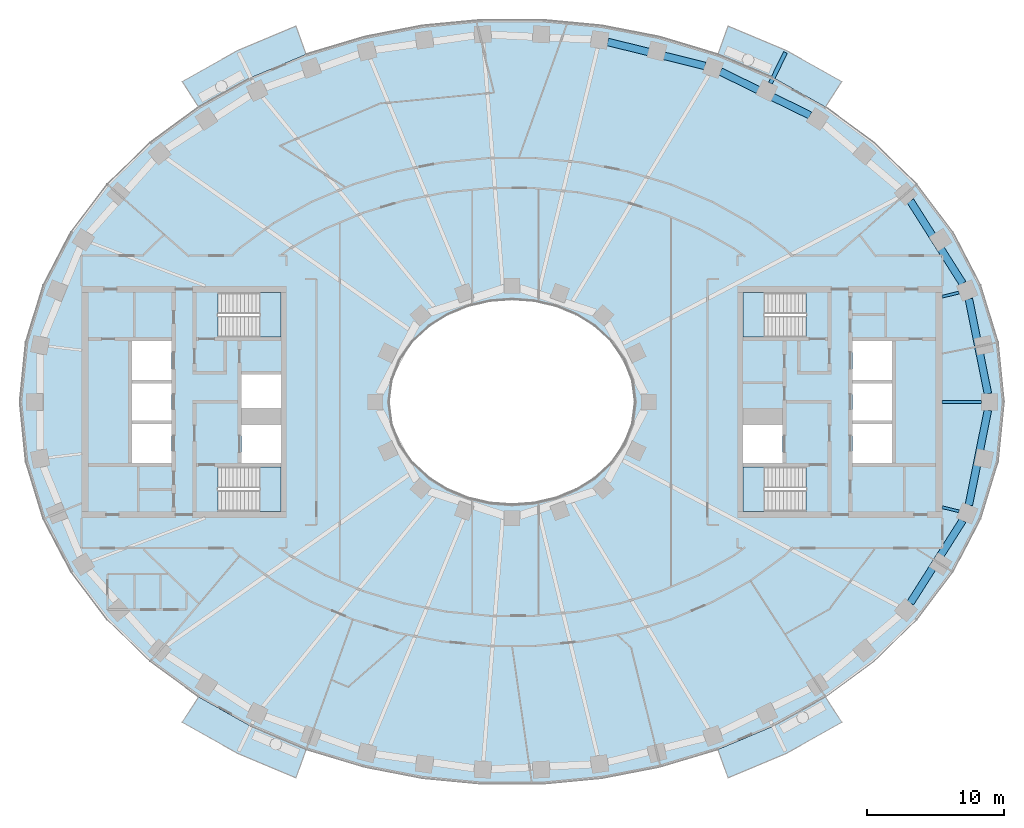
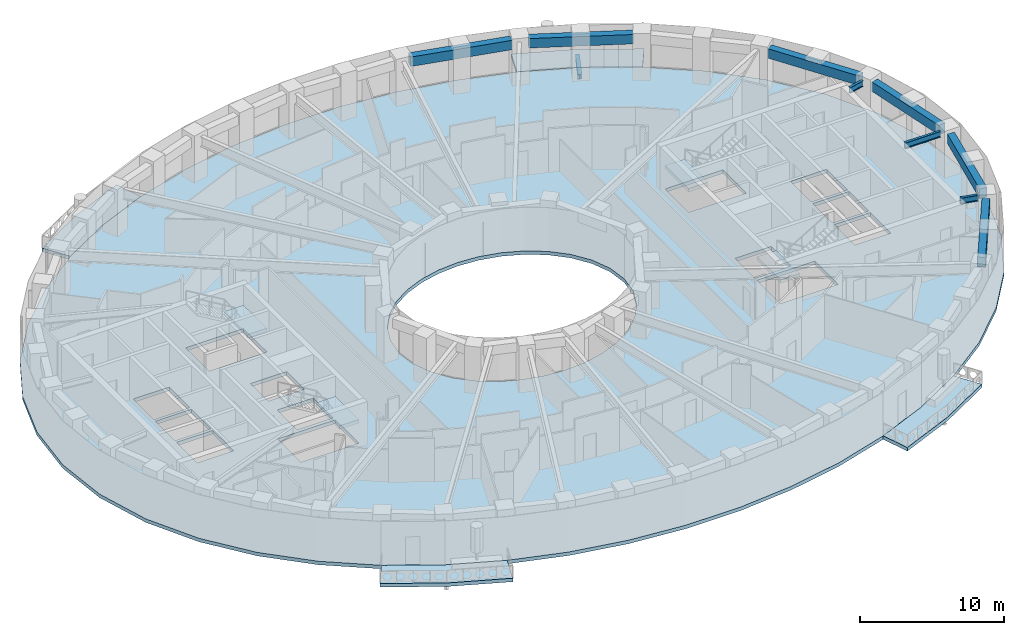
# One storey, part 2 of 16: 10 beams, 9 slabs, 4 elements without a shape of their own.
"""IFC4 building model written with IfcOpenShell, lengths in metres."""

from ifc_helpers import new_model, si_unit, direction, frame, origin, origin_2d, place, context, subcontext, project, spatial, polyline, rectangle, i_section, outline, extrude, material, layer, layer_set, material_profile, profile_set, type_object, element, aggregate, save


model = new_model("IFC4")

# Units and contexts
model_context = context("Model", 3, precision=1e-05, world=origin(), true_north=direction((0.0, 1.0)))
body_context = subcontext(model_context, "Body", "Model", "MODEL_VIEW")
ifc_project = project(units=[si_unit("LENGTHUNIT", "METRE"), si_unit("AREAUNIT", "SQUARE_METRE"), si_unit("VOLUMEUNIT", "CUBIC_METRE"), si_unit("PLANEANGLEUNIT", "RADIAN"), si_unit("MASSUNIT", "GRAM", prefix="KILO")], contexts=[model_context])

# Site, building, storey
site_placement = place(None, origin())
site = spatial("IfcSite", under=ifc_project, at=site_placement, CompositionType="ELEMENT")
building_placement = place(site_placement, origin())
building = spatial("IfcBuilding", under=site, at=building_placement, Name="Noorbagh Ring Tower", CompositionType="ELEMENT")
storey_placement = place(building_placement, frame((0.0, 0.0, 116.0)))
storey = spatial("IfcBuildingStorey", under=building, at=storey_placement, Name="L26", CompositionType="ELEMENT", Elevation=116.0)

# Beams
ifc_material_1 = material(Name="Steel S355", Category="steel")
ifc_material_profile_1 = material_profile(ifc_material_1, i_section(OverallWidth=0.300048828125, OverallDepth=0.39990234375, WebThickness=0.013427734375, FlangeThickness=0.02392578125, FilletRadius=0.027099609375, at=origin_2d()), Name="HEB400")
ifc_profile_set_1 = profile_set([ifc_material_profile_1], Name="Steel S355")
beam_type_1 = type_object("IfcBeamType", Name="STR-BALCONY-BRACKET-HEB400", PredefinedType="BEAM", material=ifc_profile_set_1)
beam_1_placement = place(storey_placement, frame((18.912109375, 23.328857421875, -0.5), z_axis=(0.439227645789, 0.898375798413, 0.0), x_axis=(-0.898375798413, 0.439227645789, 0.0)))
element("IfcBeam", 1, at=beam_1_placement, inside=storey, type_object=beam_type_1, Name="Balcony bracket beam BN02", PredefinedType="BEAM", context=body_context, shape_type="SweptSolid", body=[
    extrude(i_section(OverallWidth=0.300048828125, OverallDepth=0.39990234375, WebThickness=0.013427734375, FlangeThickness=0.02392578125, FilletRadius=0.027099609375, at=origin_2d()), origin(), (0.0, 0.0, 1.0), 2.500244140625),
])
ifc_material_2 = material(Name="Steel S355", Category="steel")
ifc_material_profile_2 = material_profile(ifc_material_2, i_section(OverallWidth=0.199951171875, OverallDepth=0.5, WebThickness=0.01025390625, FlangeThickness=0.01611328125, FilletRadius=0.02099609375, at=origin_2d()), Name="IPE500")
ifc_profile_set_2 = profile_set([ifc_material_profile_2], Name="Steel S355")
beam_type_2 = type_object("IfcBeamType", Name="STR-RAD-IPE500", PredefinedType="BEAM", material=ifc_profile_set_2)
beam_2_placement = place(storey_placement, frame((34.339599609375, 0.0, 3.449951171875), z_axis=(-1.0, 0.0, 0.0), x_axis=(0.0, -1.0, 0.0)))
element("IfcBeam", 2, at=beam_2_placement, inside=storey, type_object=beam_type_2, Name="L26/bm/RD01", PredefinedType="BEAM", context=body_context, shape_type="SweptSolid", body=[
    extrude(i_section(OverallWidth=0.199951171875, OverallDepth=0.5, WebThickness=0.01025390625, FlangeThickness=0.01611328125, FilletRadius=0.02099609375, at=origin_2d()), origin(), (0.0, 0.0, 1.0), 2.859619140625),
])
for number, where, z_axis, x_axis, name in (
    (3, (32.710693359375, 8.00390625, 3.449951171875), (-0.971343647719, -0.237679443865, 0.0), (0.237679443865, -0.971343647719, 0.0), "L26/bm/RD03"),
    (4, (32.710693359375, -8.00390625, 3.449951171875), (-0.971343647719, 0.237679443865, 0.0), (-0.237679443865, -0.971343647719, 0.0), "L26/bm/RD45"),
):
    element("IfcBeam", number, at=place(storey_placement, frame(where, z_axis=z_axis, x_axis=x_axis)), inside=storey, type_object=beam_type_2, Name=name, PredefinedType="BEAM", context=body_context, shape_type="SweptSolid", body=[
        extrude(i_section(OverallWidth=0.199951171875, OverallDepth=0.5, WebThickness=0.01025390625, FlangeThickness=0.01611328125, FilletRadius=0.02099609375, at=origin_2d()), origin(), (0.0, 0.0, 1.0), 1.2666015625),
    ])
ifc_material_3 = material(Name="Concrete C40/50", Category="concrete")
ifc_material_profile_3 = material_profile(ifc_material_3, rectangle(XDim=0.550048828125, YDim=0.800048828125, at=origin_2d()), Name="RC550x800")
ifc_profile_set_3 = profile_set([ifc_material_profile_3], Name="Concrete C40/50")
beam_type_3 = type_object("IfcBeamType", Name="STR-SB-RC550x800-C40-50", PredefinedType="BEAM", material=ifc_profile_set_3)
beam_3_placement = place(storey_placement, frame((34.822998046875, 0.60546875, 3.300048828125), z_axis=(-0.197250205232, 0.98035317949, 0.0), x_axis=(-0.98035317949, -0.197250205232, 0.0)))
element("IfcBeam", 5, at=beam_3_placement, inside=storey, type_object=beam_type_3, Name="L26/bm/SP01", PredefinedType="BEAM", context=body_context, shape_type="SweptSolid", body=[
    extrude(rectangle(XDim=0.550048828125, YDim=0.800048828125, at=origin_2d()), origin(), (0.0, 0.0, 1.0), 7.07861328125),
])
beam_4_placement = place(storey_placement, frame((32.97607421875, 8.668701171875, 3.300048828125), z_axis=(-0.535178715716, 0.844738860385, 0.0), x_axis=(-0.844738860385, -0.535178715716, 0.0)))
element("IfcBeam", 6, at=beam_4_placement, inside=storey, type_object=beam_type_3, Name="L26/bm/SP03", PredefinedType="BEAM", context=body_context, shape_type="SweptSolid", body=[
    extrude(rectangle(XDim=0.550048828125, YDim=0.800048828125, at=origin_2d()), origin(), (0.0, 0.0, 1.0), 7.15478515625),
])
beam_5_placement = place(storey_placement, frame((21.814453125, 20.967529296875, 3.300048828125), z_axis=(-0.898391398986, 0.439195735667, 0.0), x_axis=(-0.439195735667, -0.898391398986, 0.0)))
element("IfcBeam", 7, at=beam_5_placement, inside=storey, type_object=beam_type_3, Name="L26/bm/SP07", PredefinedType="BEAM", context=body_context, shape_type="SweptSolid", body=[
    extrude(rectangle(XDim=0.550048828125, YDim=0.800048828125, at=origin_2d()), origin(), (0.0, 0.0, 1.0), 7.2998046875),
])
beam_6_placement = place(storey_placement, frame((14.118896484375, 24.586669921875, 3.300048828125), z_axis=(-0.970829859213, 0.239769440213, 0.0), x_axis=(-0.239769440213, -0.970829859213, 0.0)))
element("IfcBeam", 8, at=beam_6_placement, inside=storey, type_object=beam_type_3, Name="L26/bm/SP09", PredefinedType="BEAM", context=body_context, shape_type="SweptSolid", body=[
    extrude(rectangle(XDim=0.550048828125, YDim=0.800048828125, at=origin_2d()), origin(), (0.0, 0.0, 1.0), 7.333251953125),
])
beam_7_placement = place(storey_placement, frame((29.14697265625, -14.712646484375, 3.300048828125), z_axis=(0.535178715716, 0.844738860385, 0.0), x_axis=(-0.844738860385, 0.535178715716, 0.0)))
element("IfcBeam", 9, at=beam_7_placement, inside=storey, type_object=beam_type_3, Name="L26/bm/SP43", PredefinedType="BEAM", context=body_context, shape_type="SweptSolid", body=[
    extrude(rectangle(XDim=0.550048828125, YDim=0.800048828125, at=origin_2d()), origin(), (0.0, 0.0, 1.0), 7.15478515625),
])
beam_8_placement = place(storey_placement, frame((33.4267578125, -7.544921875, 3.300048828125), z_axis=(0.197250205232, 0.98035317949, 0.0), x_axis=(-0.98035317949, 0.197250205232, 0.0)))
element("IfcBeam", 10, at=beam_8_placement, inside=storey, type_object=beam_type_3, Name="L26/bm/SP45", PredefinedType="BEAM", context=body_context, shape_type="SweptSolid", body=[
    extrude(rectangle(XDim=0.550048828125, YDim=0.800048828125, at=origin_2d()), origin(), (0.0, 0.0, 1.0), 7.07861328125),
])

# Stair, slab
ifc_material_4 = material(Name="Concrete C40/50", Category="concrete")
stair_type = type_object("IfcStairType", Name="CORE-STAIR", PredefinedType="HALF_TURN_STAIR", material=ifc_material_4)
stair_1_placement = place(storey_placement, origin())
stair_1 = element("IfcStair", 11, at=stair_1_placement, inside=storey, type_object=stair_type, Name="L26 Exit stair ST1", PredefinedType="HALF_TURN_STAIR")
ifc_material_5 = material(Name="Concrete C40/50", Category="concrete")
ifc_layer_1 = layer(ifc_material_5, 0.300048828125)
ifc_layer_set_1 = layer_set([ifc_layer_1], Name="Concrete C40/50")
slab_type_1 = type_object("IfcSlabType", Name="CORE-STAIR-LANDING", PredefinedType="LANDING", material=ifc_layer_set_1)
slab_1_placement = place(storey_placement, frame((0.0, 0.0, 1.699951171875)))
slab_1 = element("IfcSlab", 12, at=slab_1_placement, type_object=slab_type_1, Name="ST1 landing 1", PredefinedType="LANDING", context=body_context, shape_type="SweptSolid", body=[
    extrude(outline(polyline([(-18.449951171875, 4.75), (-16.89990234375, 4.75), (-16.89990234375, 8.0), (-18.449951171875, 8.0), (-18.449951171875, 4.75)])), origin(), (0.0, 0.0, 1.0), 0.300048828125),
])
aggregate(stair_1, [slab_1])

stair_2_placement = place(storey_placement, origin())
stair_2 = element("IfcStair", 13, at=stair_2_placement, inside=storey, type_object=stair_type, Name="L26 Exit stair ST2", PredefinedType="HALF_TURN_STAIR")
slab_2_placement = place(storey_placement, frame((0.0, 0.0, 1.699951171875)))
slab_2 = element("IfcSlab", 14, at=slab_2_placement, type_object=slab_type_1, Name="ST2 landing 1", PredefinedType="LANDING", context=body_context, shape_type="SweptSolid", body=[
    extrude(outline(polyline([(-18.449951171875, -8.0), (-16.89990234375, -8.0), (-16.89990234375, -4.75), (-18.449951171875, -4.75), (-18.449951171875, -8.0)])), origin(), (0.0, 0.0, 1.0), 0.300048828125),
])
aggregate(stair_2, [slab_2])

stair_3_placement = place(storey_placement, origin())
stair_3 = element("IfcStair", 15, at=stair_3_placement, inside=storey, type_object=stair_type, Name="L26 Exit stair ST3", PredefinedType="HALF_TURN_STAIR")
slab_3_placement = place(storey_placement, frame((0.0, 0.0, 1.699951171875)))
slab_3 = element("IfcSlab", 16, at=slab_3_placement, type_object=slab_type_1, Name="ST3 landing 1", PredefinedType="LANDING", context=body_context, shape_type="SweptSolid", body=[
    extrude(outline(polyline([(18.449951171875, 8.0), (16.89990234375, 8.0), (16.89990234375, 4.75), (18.449951171875, 4.75), (18.449951171875, 8.0)])), origin(), (0.0, 0.0, 1.0), 0.300048828125),
])
aggregate(stair_3, [slab_3])

stair_4_placement = place(storey_placement, origin())
stair_4 = element("IfcStair", 17, at=stair_4_placement, inside=storey, type_object=stair_type, Name="L26 Exit stair ST4", PredefinedType="HALF_TURN_STAIR")
slab_4_placement = place(storey_placement, frame((0.0, 0.0, 1.699951171875)))
slab_4 = element("IfcSlab", 18, at=slab_4_placement, type_object=slab_type_1, Name="ST4 landing 1", PredefinedType="LANDING", context=body_context, shape_type="SweptSolid", body=[
    extrude(outline(polyline([(18.449951171875, -4.75), (16.89990234375, -4.75), (16.89990234375, -8.0), (18.449951171875, -8.0), (18.449951171875, -4.75)])), origin(), (0.0, 0.0, 1.0), 0.300048828125),
])
aggregate(stair_4, [slab_4])

# Slabs
ifc_material_6 = material(Name="Concrete C40/50", Category="concrete")
ifc_layer_2 = layer(ifc_material_6, 0.300048828125)
ifc_layer_set_2 = layer_set([ifc_layer_2], Name="Concrete C40/50")
slab_type_2 = type_object("IfcSlabType", Name="ENV-BALCONY DECK 300", PredefinedType="FLOOR", material=ifc_layer_set_2)
slab_5_placement = place(storey_placement, frame((0.0, 0.0, -0.300048828125)))
element("IfcSlab", 19, at=slab_5_placement, inside=storey, type_object=slab_type_2, Name="Tree balcony deck BN02", PredefinedType="FLOOR", context=body_context, shape_type="SweptSolid", body=[
    extrude(outline(polyline([(24.1279296875, 23.435791015625), (20.076171875, 25.709716796875), (15.810791015625, 27.50341796875), (15.0654296875, 25.430419921875), (19.108154296875, 23.730224609375), (22.9326171875, 21.583740234375), (24.1279296875, 23.435791015625)])), origin(), (0.0, 0.0, 1.0), 0.300048828125),
])
slab_6_placement = place(storey_placement, frame((0.0, 0.0, -0.300048828125)))
element("IfcSlab", 20, at=slab_6_placement, inside=storey, type_object=slab_type_2, Name="Tree balcony deck BN05", PredefinedType="FLOOR", context=body_context, shape_type="SweptSolid", body=[
    extrude(outline(polyline([(-15.810791015625, 27.50341796875), (-20.076171875, 25.709716796875), (-24.1279296875, 23.435791015625), (-22.9326171875, 21.583740234375), (-19.108154296875, 23.730224609375), (-15.0654296875, 25.430419921875), (-15.810791015625, 27.50341796875)])), origin(), (0.0, 0.0, 1.0), 0.300048828125),
])
slab_7_placement = place(storey_placement, frame((0.0, 0.0, -0.300048828125)))
element("IfcSlab", 21, at=slab_7_placement, inside=storey, type_object=slab_type_2, Name="Tree balcony deck BS02", PredefinedType="FLOOR", context=body_context, shape_type="SweptSolid", body=[
    extrude(outline(polyline([(-24.1279296875, -23.435791015625), (-20.076171875, -25.709716796875), (-15.810791015625, -27.50341796875), (-15.0654296875, -25.430419921875), (-19.108154296875, -23.730224609375), (-22.9326171875, -21.583740234375), (-24.1279296875, -23.435791015625)])), origin(), (0.0, 0.0, 1.0), 0.300048828125),
])
slab_8_placement = place(storey_placement, frame((0.0, 0.0, -0.300048828125)))
element("IfcSlab", 22, at=slab_8_placement, inside=storey, type_object=slab_type_2, Name="Tree balcony deck BS05", PredefinedType="FLOOR", context=body_context, shape_type="SweptSolid", body=[
    extrude(outline(polyline([(15.810791015625, -27.50341796875), (20.076171875, -25.709716796875), (24.1279296875, -23.435791015625), (22.9326171875, -21.583740234375), (19.108154296875, -23.730224609375), (15.0654296875, -25.430419921875), (15.810791015625, -27.50341796875)])), origin(), (0.0, 0.0, 1.0), 0.300048828125),
])
ifc_material_7 = material(Name="Concrete C40/50", Category="concrete")
ifc_layer_3 = layer(ifc_material_7, 0.300048828125)
ifc_layer_set_3 = layer_set([ifc_layer_3], Name="Concrete C40/50")
slab_type_3 = type_object("IfcSlabType", Name="STR-FLOOR-DECK-300", PredefinedType="FLOOR", material=ifc_layer_set_3)
slab_9_placement = place(storey_placement, frame((0.0, 0.0, -0.300048828125)))
element("IfcSlab", 23, at=slab_9_placement, inside=storey, type_object=slab_type_3, Name="L26/slab/1", PredefinedType="FLOOR", context=body_context, shape_type="SweptSolid", body=[
    extrude(outline(polyline([(36.0, 0.0), (35.56103515625, 4.358642578125), (34.281005859375, 8.548828125), (32.255126953125, 12.434814453125), (29.607666015625, 15.92822265625), (26.463134765625, 18.983154296875), (22.9326171875, 21.583740234375), (19.108154296875, 23.730224609375), (15.0654296875, 25.430419921875), (10.865234375, 26.6943359375), (6.5595703125, 27.53125), (2.193115234375, 27.947998046875), (-2.193115234375, 27.947998046875), (-6.5595703125, 27.53125), (-10.865234375, 26.6943359375), (-15.0654296875, 25.430419921875), (-19.108154296875, 23.730224609375), (-22.9326171875, 21.583740234375), (-26.463134765625, 18.983154296875), (-29.607666015625, 15.92822265625), (-32.255126953125, 12.434814453125), (-34.281005859375, 8.548828125), (-35.56103515625, 4.358642578125), (-36.0, 0.0), (-35.56103515625, -4.358642578125), (-34.281005859375, -8.548828125), (-32.255126953125, -12.434814453125), (-29.607666015625, -15.92822265625), (-26.463134765625, -18.983154296875), (-22.9326171875, -21.583740234375), (-19.108154296875, -23.730224609375), (-15.0654296875, -25.430419921875), (-10.865234375, -26.6943359375), (-6.5595703125, -27.53125), (-2.193115234375, -27.947998046875), (2.193115234375, -27.947998046875), (6.5595703125, -27.53125), (10.865234375, -26.6943359375), (15.0654296875, -25.430419921875), (19.108154296875, -23.730224609375), (22.9326171875, -21.583740234375), (26.463134765625, -18.983154296875), (29.607666015625, -15.92822265625), (32.255126953125, -12.434814453125), (34.281005859375, -8.548828125), (35.56103515625, -4.358642578125), (36.0, 0.0)]), holes=[polyline([(24.89990234375, -1.60009765625), (27.800048828125, -1.60009765625), (27.800048828125, -4.449951171875), (24.89990234375, -4.449951171875), (24.89990234375, -1.60009765625)]), polyline([(24.89990234375, 1.35009765625), (27.800048828125, 1.35009765625), (27.800048828125, -1.35009765625), (24.89990234375, -1.35009765625), (24.89990234375, 1.35009765625)]), polyline([(24.89990234375, 4.449951171875), (27.800048828125, 4.449951171875), (27.800048828125, 1.60009765625), (24.89990234375, 1.60009765625), (24.89990234375, 4.449951171875)]), polyline([(21.529541015625, -4.75), (21.529541015625, -8.0), (16.89990234375, -8.0), (16.89990234375, -4.75), (21.529541015625, -4.75)]), polyline([(21.529541015625, 4.75), (16.89990234375, 4.75), (16.89990234375, 8.0), (21.529541015625, 8.0), (21.529541015625, 4.75)]), polyline([(16.89990234375, -1.699951171875), (19.800048828125, -1.699951171875), (19.800048828125, -4.449951171875), (16.89990234375, -4.449951171875), (16.89990234375, -1.699951171875)]), polyline([(4.697509765625, -6.3974609375), (3.196533203125, -7.010986328125), (1.6171875, -7.3779296875), (0.0, -7.5), (-1.6171875, -7.3779296875), (-3.196533203125, -7.010986328125), (-4.697509765625, -6.3974609375), (-6.071044921875, -5.53662109375), (-7.2587890625, -4.43408203125), (-8.1904296875, -3.10888671875), (-8.79150390625, -1.605224609375), (-9.0, 0.0), (-8.79150390625, 1.605224609375), (-8.1904296875, 3.10888671875), (-7.2587890625, 4.43408203125), (-6.071044921875, 5.53662109375), (-4.697509765625, 6.3974609375), (-3.196533203125, 7.010986328125), (-1.6171875, 7.3779296875), (0.0, 7.5), (1.6171875, 7.3779296875), (3.196533203125, 7.010986328125), (4.697509765625, 6.3974609375), (6.071044921875, 5.53662109375), (7.2587890625, 4.43408203125), (8.1904296875, 3.10888671875), (8.79150390625, 1.605224609375), (9.0, 0.0), (8.79150390625, -1.605224609375), (8.1904296875, -3.10888671875), (7.2587890625, -4.43408203125), (6.071044921875, -5.53662109375), (4.697509765625, -6.3974609375)]), polyline([(-21.529541015625, -8.0), (-21.529541015625, -4.75), (-16.89990234375, -4.75), (-16.89990234375, -8.0), (-21.529541015625, -8.0)]), polyline([(-21.529541015625, 8.0), (-16.89990234375, 8.0), (-16.89990234375, 4.75), (-21.529541015625, 4.75), (-21.529541015625, 8.0)]), polyline([(-16.89990234375, -4.449951171875), (-19.800048828125, -4.449951171875), (-19.800048828125, -1.699951171875), (-16.89990234375, -1.699951171875), (-16.89990234375, -4.449951171875)]), polyline([(-16.89990234375, -0.449951171875), (-19.800048828125, -0.449951171875), (-19.800048828125, 2.0), (-16.89990234375, 2.0), (-16.89990234375, -0.449951171875)]), polyline([(-24.89990234375, -4.449951171875), (-27.800048828125, -4.449951171875), (-27.800048828125, -1.60009765625), (-24.89990234375, -1.60009765625), (-24.89990234375, -4.449951171875)]), polyline([(-24.89990234375, -1.35009765625), (-27.800048828125, -1.35009765625), (-27.800048828125, 1.35009765625), (-24.89990234375, 1.35009765625), (-24.89990234375, -1.35009765625)]), polyline([(-24.89990234375, 1.60009765625), (-27.800048828125, 1.60009765625), (-27.800048828125, 4.449951171875), (-24.89990234375, 4.449951171875), (-24.89990234375, 1.60009765625)])]), origin(), (0.0, 0.0, 1.0), 0.300048828125),
])

save(model, "model.ifc")
